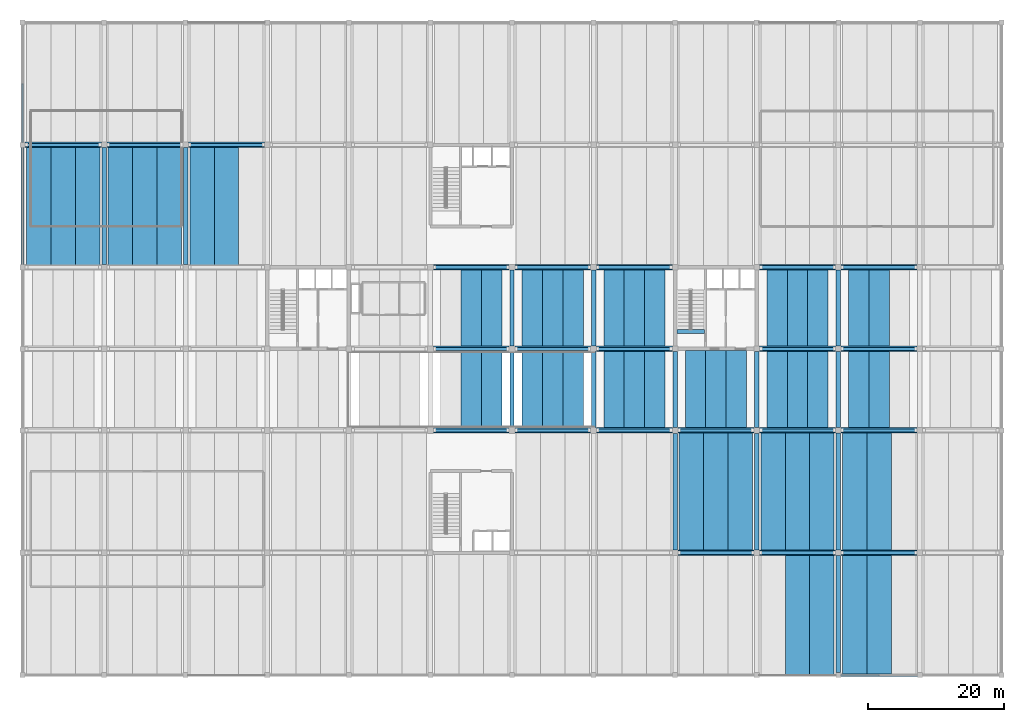
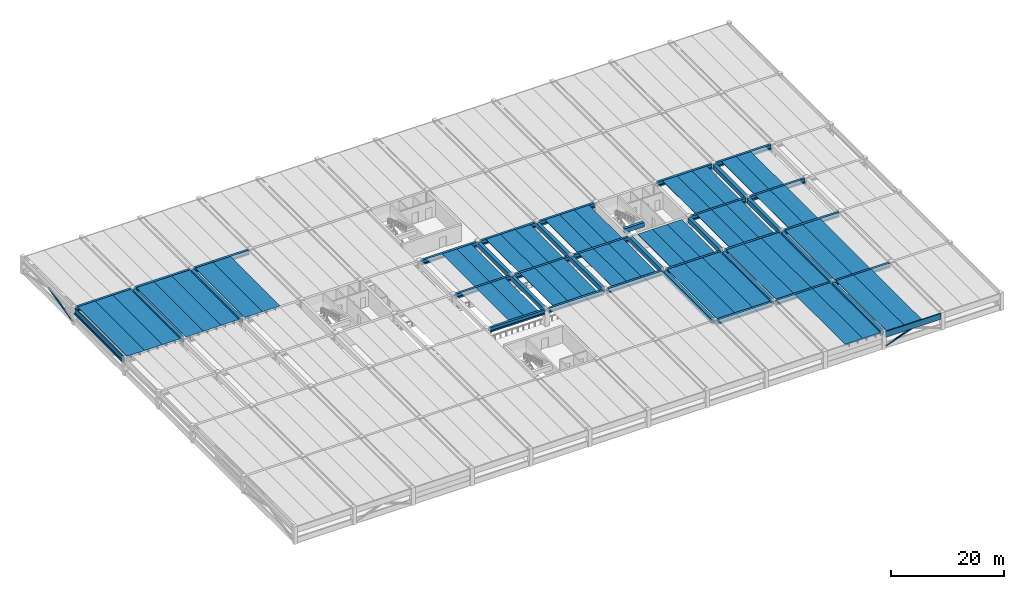
# One storey, part 3 of 16: 88 beams, 2 members.
"""IFC4 building model written with IfcOpenShell, lengths in metres."""

from ifc_helpers import new_model, si_unit, direction, frame, origin, origin_2d, place, context, subcontext, project, spatial, polyline, rectangle, hollow_rectangle, outline, extrude, material, material_profile, profile_set, type_object, element, save


model = new_model("IFC4")

# Units and contexts
model_context = context("Model", 3, precision=1e-05, world=origin(), true_north=direction((0.0, 1.0)))
body_context = subcontext(model_context, "Body", "Model", "MODEL_VIEW")
ifc_project = project(units=[si_unit("LENGTHUNIT", "METRE"), si_unit("AREAUNIT", "SQUARE_METRE"), si_unit("VOLUMEUNIT", "CUBIC_METRE"), si_unit("PLANEANGLEUNIT", "RADIAN"), si_unit("MASSUNIT", "GRAM", prefix="KILO")], contexts=[model_context])

# Site, building, storey
site_placement = place(None, origin())
site = spatial("IfcSite", under=ifc_project, at=site_placement, CompositionType="ELEMENT")
building_placement = place(site_placement, origin())
building = spatial("IfcBuilding", under=site, at=building_placement, Name="Girod Span Mobility Hub", CompositionType="ELEMENT")
storey_placement = place(building_placement, frame((0.0, 0.0, 28.60009765625)))
storey = spatial("IfcBuildingStorey", under=building, at=storey_placement, Name="L07", CompositionType="ELEMENT", Elevation=28.60009765625)

# Beams
ifc_material_1 = material(Name="Concrete C50/60", Category="concrete")
ifc_material_profile_1 = material_profile(ifc_material_1, outline(polyline([(-1.5, 0.300048828125), (-1.5, 0.2099609375), (-0.8349609375, 0.2099609375), (-0.8125, -0.300048828125), (-0.6875, -0.300048828125), (-0.6650390625, 0.2099609375), (0.6650390625, 0.2099609375), (0.6875, -0.300048828125), (0.8125, -0.300048828125), (0.8349609375, 0.2099609375), (1.5, 0.2099609375), (1.5, 0.300048828125), (-1.5, 0.300048828125)])), Name="DT-3000X600")
ifc_profile_set_1 = profile_set([ifc_material_profile_1], Name="Concrete C50/60")
beam_type_1 = type_object("IfcBeamType", Name="BM-DT-3000X600", PredefinedType="JOIST", material=ifc_profile_set_1)
for number, where, z_axis, x_axis, name in (
    (1, (78.0, 45.22705078125, 3.25), (0.0, 1.0, 0.0), (-1.0, 0.0, 0.0), "Double-Tee Deck 7/D-2 L07"),
    (2, (81.0, 45.22705078125, 3.25), (0.0, 1.0, 0.0), (-1.0, 0.0, 0.0), "Double-Tee Deck 7/D-3 L07"),
    (3, (78.0, 57.22705078125, 3.25), (0.0, 1.0, 0.0), (-1.0, 0.0, 0.0), "Double-Tee Deck 7/E-2 L07"),
    (4, (81.0, 57.22705078125, 3.25), (0.0, 1.0, 0.0), (-1.0, 0.0, 0.0), "Double-Tee Deck 7/E-3 L07"),
    (5, (87.0, 45.22705078125, 3.25), (0.0, 1.0, 0.0), (-1.0, 0.0, 0.0), "Double-Tee Deck 8/D-1 L07"),
    (6, (90.0, 45.22705078125, 3.25), (0.0, 1.0, 0.0), (-1.0, 0.0, 0.0), "Double-Tee Deck 8/D-2 L07"),
    (7, (93.0, 45.22705078125, 3.25), (0.0, 1.0, 0.0), (-1.0, 0.0, 0.0), "Double-Tee Deck 8/D-3 L07"),
    (8, (87.0, 57.22705078125, 3.25), (0.0, 1.0, 0.0), (-1.0, 0.0, 0.0), "Double-Tee Deck 8/E-1 L07"),
    (9, (90.0, 57.22705078125, 3.25), (0.0, 1.0, 0.0), (-1.0, 0.0, 0.0), "Double-Tee Deck 8/E-2 L07"),
    (10, (93.0, 57.22705078125, 3.25), (0.0, 1.0, 0.0), (-1.0, 0.0, 0.0), "Double-Tee Deck 8/E-3 L07"),
    (11, (99.0, 45.22705078125, 3.25), (0.0, 1.0, 0.0), (-1.0, 0.0, 0.0), "Double-Tee Deck 9/D-1 L07"),
    (12, (102.0, 45.22705078125, 3.25), (0.0, 1.0, 0.0), (-1.0, 0.0, 0.0), "Double-Tee Deck 9/D-2 L07"),
    (13, (105.0, 45.22705078125, 3.25), (0.0, 1.0, 0.0), (-1.0, 0.0, 0.0), "Double-Tee Deck 9/D-3 L07"),
    (14, (99.0, 57.22705078125, 3.25), (0.0, 1.0, 0.0), (-1.0, 0.0, 0.0), "Double-Tee Deck 9/E-1 L07"),
    (15, (102.0, 57.22705078125, 3.25), (0.0, 1.0, 0.0), (-1.0, 0.0, 0.0), "Double-Tee Deck 9/E-2 L07"),
    (16, (105.0, 57.22705078125, 3.25), (0.0, 1.0, 0.0), (-1.0, 0.0, 0.0), "Double-Tee Deck 9/E-3 L07"),
):
    element("IfcBeam", number, at=place(storey_placement, frame(where, z_axis=z_axis, x_axis=x_axis)), inside=storey, type_object=beam_type_1, Name=name, PredefinedType="JOIST", context=body_context, shape_type="SweptSolid", body=[
        extrude(outline(polyline([(-1.5, 0.300048828125), (-1.5, 0.2099609375), (-0.8349609375, 0.2099609375), (-0.8125, -0.300048828125), (-0.6875, -0.300048828125), (-0.6650390625, 0.2099609375), (0.6650390625, 0.2099609375), (0.6875, -0.300048828125), (0.8125, -0.300048828125), (0.8349609375, 0.2099609375), (1.5, 0.2099609375), (1.5, 0.300048828125), (-1.5, 0.300048828125)])), origin(), (0.0, 0.0, 1.0), 11.5458984375),
    ])
for number, where, z_axis, x_axis, name in (
    (17, (111.0, 45.22705078125, 3.25), (0.0, 1.0, 0.0), (-1.0, 0.0, 0.0), "Double-Tee Deck 10/D-1 L07"),
    (18, (114.0, 45.22705078125, 3.25), (0.0, 1.0, 0.0), (-1.0, 0.0, 0.0), "Double-Tee Deck 10/D-2 L07"),
    (19, (117.0, 45.22705078125, 3.25), (0.0, 1.0, 0.0), (-1.0, 0.0, 0.0), "Double-Tee Deck 10/D-3 L07"),
):
    element("IfcBeam", number, at=place(storey_placement, frame(where, z_axis=z_axis, x_axis=x_axis)), inside=storey, type_object=beam_type_1, Name=name, PredefinedType="JOIST", context=body_context, shape_type="SweptSolid", body=[
        extrude(outline(polyline([(-1.5, 0.300048828125), (-1.5, 0.2099609375), (-0.8349609375, 0.2099609375), (-0.8125, -0.300048828125), (-0.6875, -0.300048828125), (-0.6650390625, 0.2099609375), (0.6650390625, 0.2099609375), (0.6875, -0.300048828125), (0.8125, -0.300048828125), (0.8349609375, 0.2099609375), (1.5, 0.2099609375), (1.5, 0.300048828125), (-1.5, 0.300048828125)])), origin(), (0.0, 0.0, 1.0), 11.52587890625),
    ])
for number, where, z_axis, x_axis, name in (
    (20, (123.0, 45.22705078125, 3.25), (0.0, 1.0, 0.0), (-1.0, 0.0, 0.0), "Double-Tee Deck 11/D-1 L07"),
    (21, (126.0, 45.22705078125, 3.25), (0.0, 1.0, 0.0), (-1.0, 0.0, 0.0), "Double-Tee Deck 11/D-2 L07"),
    (22, (129.0, 45.22705078125, 3.25), (0.0, 1.0, 0.0), (-1.0, 0.0, 0.0), "Double-Tee Deck 11/D-3 L07"),
    (23, (123.0, 57.22705078125, 3.25), (0.0, 1.0, 0.0), (-1.0, 0.0, 0.0), "Double-Tee Deck 11/E-1 L07"),
    (24, (126.0, 57.22705078125, 3.25), (0.0, 1.0, 0.0), (-1.0, 0.0, 0.0), "Double-Tee Deck 11/E-2 L07"),
    (25, (129.0, 57.22705078125, 3.25), (0.0, 1.0, 0.0), (-1.0, 0.0, 0.0), "Double-Tee Deck 11/E-3 L07"),
    (26, (135.0, 45.22705078125, 3.25), (0.0, 1.0, 0.0), (-1.0, 0.0, 0.0), "Double-Tee Deck 12/D-1 L07"),
    (27, (138.0, 45.22705078125, 3.25), (0.0, 1.0, 0.0), (-1.0, 0.0, 0.0), "Double-Tee Deck 12/D-2 L07"),
    (28, (135.0, 57.22705078125, 3.25), (0.0, 1.0, 0.0), (-1.0, 0.0, 0.0), "Double-Tee Deck 12/E-1 L07"),
    (29, (138.0, 57.22705078125, 3.25), (0.0, 1.0, 0.0), (-1.0, 0.0, 0.0), "Double-Tee Deck 12/E-2 L07"),
):
    element("IfcBeam", number, at=place(storey_placement, frame(where, z_axis=z_axis, x_axis=x_axis)), inside=storey, type_object=beam_type_1, Name=name, PredefinedType="JOIST", context=body_context, shape_type="SweptSolid", body=[
        extrude(outline(polyline([(-1.5, 0.300048828125), (-1.5, 0.2099609375), (-0.8349609375, 0.2099609375), (-0.8125, -0.300048828125), (-0.6875, -0.300048828125), (-0.6650390625, 0.2099609375), (0.6650390625, 0.2099609375), (0.6875, -0.300048828125), (0.8125, -0.300048828125), (0.8349609375, 0.2099609375), (1.5, 0.2099609375), (1.5, 0.300048828125), (-1.5, 0.300048828125)])), origin(), (0.0, 0.0, 1.0), 11.5458984375),
    ])
ifc_material_2 = material(Name="Concrete C50/60", Category="concrete")
ifc_material_profile_2 = material_profile(ifc_material_2, outline(polyline([(-1.800048828125, 0.425048828125), (-1.800048828125, 0.324951171875), (-1.0, 0.324951171875), (-0.969970703125, -0.425048828125), (-0.830078125, -0.425048828125), (-0.800048828125, 0.324951171875), (0.800048828125, 0.324951171875), (0.830078125, -0.425048828125), (0.969970703125, -0.425048828125), (1.0, 0.324951171875), (1.800048828125, 0.324951171875), (1.800048828125, 0.425048828125), (-1.800048828125, 0.425048828125)])), Name="DT-3600X850")
ifc_profile_set_2 = profile_set([ifc_material_profile_2], Name="Concrete C50/60")
beam_type_2 = type_object("IfcBeamType", Name="BM-DT-3600X850", PredefinedType="JOIST", material=ifc_profile_set_2)
for number, where, z_axis, x_axis, name in (
    (30, (14.39990234375, 69.22705078125, 3.15478515625), (0.0, 1.0, 0.0), (-1.0, 0.0, 0.0), "Double-Tee Deck 2/F-1 L07"),
    (31, (18.0, 69.22705078125, 3.15478515625), (0.0, 1.0, 0.0), (-1.0, 0.0, 0.0), "Double-Tee Deck 2/F-2 L07"),
    (32, (21.60009765625, 69.22705078125, 3.15478515625), (0.0, 1.0, 0.0), (-1.0, 0.0, 0.0), "Double-Tee Deck 2/F-3 L07"),
    (33, (26.39990234375, 69.22705078125, 3.099853515625), (0.0, 1.0, 0.0), (-1.0, 0.0, 0.0), "Double-Tee Deck 3/F-1 L07"),
    (34, (30.0, 69.22705078125, 3.099853515625), (0.0, 1.0, 0.0), (-1.0, 0.0, 0.0), "Double-Tee Deck 3/F-2 L07"),
    (35, (33.60009765625, 69.22705078125, 3.099853515625), (0.0, 1.0, 0.0), (-1.0, 0.0, 0.0), "Double-Tee Deck 3/F-3 L07"),
    (36, (38.39990234375, 69.22705078125, 3.099853515625), (0.0, 1.0, 0.0), (-1.0, 0.0, 0.0), "Double-Tee Deck 4/F-1 L07"),
    (37, (42.0, 69.22705078125, 3.099853515625), (0.0, 1.0, 0.0), (-1.0, 0.0, 0.0), "Double-Tee Deck 4/F-2 L07"),
    (38, (110.39990234375, 27.22705078125, 3.099853515625), (0.0, 1.0, 0.0), (-1.0, 0.0, 0.0), "Double-Tee Deck 10/C-1 L07"),
    (39, (114.0, 27.22705078125, 3.099853515625), (0.0, 1.0, 0.0), (-1.0, 0.0, 0.0), "Double-Tee Deck 10/C-2 L07"),
    (40, (117.60009765625, 27.22705078125, 3.099853515625), (0.0, 1.0, 0.0), (-1.0, 0.0, 0.0), "Double-Tee Deck 10/C-3 L07"),
):
    element("IfcBeam", number, at=place(storey_placement, frame(where, z_axis=z_axis, x_axis=x_axis)), inside=storey, type_object=beam_type_2, Name=name, PredefinedType="JOIST", context=body_context, shape_type="SweptSolid", body=[
        extrude(outline(polyline([(-1.800048828125, 0.425048828125), (-1.800048828125, 0.324951171875), (-1.0, 0.324951171875), (-0.969970703125, -0.425048828125), (-0.830078125, -0.425048828125), (-0.800048828125, 0.324951171875), (0.800048828125, 0.324951171875), (0.830078125, -0.425048828125), (0.969970703125, -0.425048828125), (1.0, 0.324951171875), (1.800048828125, 0.324951171875), (1.800048828125, 0.425048828125), (-1.800048828125, 0.425048828125)])), origin(), (0.0, 0.0, 1.0), 17.5458984375),
    ])
for number, where, z_axis, x_axis, name in (
    (41, (126.0, 9.01708984375, 3.15478515625), (0.0, 1.0, 0.0), (-1.0, 0.0, 0.0), "Double-Tee Deck 11/B-2 L07"),
    (42, (129.60009765625, 9.01708984375, 3.15478515625), (0.0, 1.0, 0.0), (-1.0, 0.0, 0.0), "Double-Tee Deck 11/B-3 L07"),
):
    element("IfcBeam", number, at=place(storey_placement, frame(where, z_axis=z_axis, x_axis=x_axis)), inside=storey, type_object=beam_type_2, Name=name, PredefinedType="JOIST", context=body_context, shape_type="SweptSolid", body=[
        extrude(outline(polyline([(-1.800048828125, 0.425048828125), (-1.800048828125, 0.324951171875), (-1.0, 0.324951171875), (-0.969970703125, -0.425048828125), (-0.830078125, -0.425048828125), (-0.800048828125, 0.324951171875), (0.800048828125, 0.324951171875), (0.830078125, -0.425048828125), (0.969970703125, -0.425048828125), (1.0, 0.324951171875), (1.800048828125, 0.324951171875), (1.800048828125, 0.425048828125), (-1.800048828125, 0.425048828125)])), origin(), (0.0, 0.0, 1.0), 17.755859375),
    ])
for number, where, z_axis, x_axis, name in (
    (43, (122.39990234375, 27.22705078125, 3.099853515625), (0.0, 1.0, 0.0), (-1.0, 0.0, 0.0), "Double-Tee Deck 11/C-1 L07"),
    (44, (126.0, 27.22705078125, 3.099853515625), (0.0, 1.0, 0.0), (-1.0, 0.0, 0.0), "Double-Tee Deck 11/C-2 L07"),
    (45, (129.60009765625, 27.22705078125, 3.099853515625), (0.0, 1.0, 0.0), (-1.0, 0.0, 0.0), "Double-Tee Deck 11/C-3 L07"),
):
    element("IfcBeam", number, at=place(storey_placement, frame(where, z_axis=z_axis, x_axis=x_axis)), inside=storey, type_object=beam_type_2, Name=name, PredefinedType="JOIST", context=body_context, shape_type="SweptSolid", body=[
        extrude(outline(polyline([(-1.800048828125, 0.425048828125), (-1.800048828125, 0.324951171875), (-1.0, 0.324951171875), (-0.969970703125, -0.425048828125), (-0.830078125, -0.425048828125), (-0.800048828125, 0.324951171875), (0.800048828125, 0.324951171875), (0.830078125, -0.425048828125), (0.969970703125, -0.425048828125), (1.0, 0.324951171875), (1.800048828125, 0.324951171875), (1.800048828125, 0.425048828125), (-1.800048828125, 0.425048828125)])), origin(), (0.0, 0.0, 1.0), 17.5458984375),
    ])
for number, where, z_axis, x_axis, name in (
    (46, (134.39990234375, 9.01708984375, 3.15478515625), (0.0, 1.0, 0.0), (-1.0, 0.0, 0.0), "Double-Tee Deck 12/B-1 L07"),
    (47, (138.0, 9.01708984375, 3.15478515625), (0.0, 1.0, 0.0), (-1.0, 0.0, 0.0), "Double-Tee Deck 12/B-2 L07"),
):
    element("IfcBeam", number, at=place(storey_placement, frame(where, z_axis=z_axis, x_axis=x_axis)), inside=storey, type_object=beam_type_2, Name=name, PredefinedType="JOIST", context=body_context, shape_type="SweptSolid", body=[
        extrude(outline(polyline([(-1.800048828125, 0.425048828125), (-1.800048828125, 0.324951171875), (-1.0, 0.324951171875), (-0.969970703125, -0.425048828125), (-0.830078125, -0.425048828125), (-0.800048828125, 0.324951171875), (0.800048828125, 0.324951171875), (0.830078125, -0.425048828125), (0.969970703125, -0.425048828125), (1.0, 0.324951171875), (1.800048828125, 0.324951171875), (1.800048828125, 0.425048828125), (-1.800048828125, 0.425048828125)])), origin(), (0.0, 0.0, 1.0), 17.755859375),
    ])
for number, where, z_axis, x_axis, name in (
    (48, (134.39990234375, 27.22705078125, 3.099853515625), (0.0, 1.0, 0.0), (-1.0, 0.0, 0.0), "Double-Tee Deck 12/C-1 L07"),
    (49, (138.0, 27.22705078125, 3.099853515625), (0.0, 1.0, 0.0), (-1.0, 0.0, 0.0), "Double-Tee Deck 12/C-2 L07"),
):
    element("IfcBeam", number, at=place(storey_placement, frame(where, z_axis=z_axis, x_axis=x_axis)), inside=storey, type_object=beam_type_2, Name=name, PredefinedType="JOIST", context=body_context, shape_type="SweptSolid", body=[
        extrude(outline(polyline([(-1.800048828125, 0.425048828125), (-1.800048828125, 0.324951171875), (-1.0, 0.324951171875), (-0.969970703125, -0.425048828125), (-0.830078125, -0.425048828125), (-0.800048828125, 0.324951171875), (0.800048828125, 0.324951171875), (0.830078125, -0.425048828125), (0.969970703125, -0.425048828125), (1.0, 0.324951171875), (1.800048828125, 0.324951171875), (1.800048828125, 0.425048828125), (-1.800048828125, 0.425048828125)])), origin(), (0.0, 0.0, 1.0), 17.5458984375),
    ])
ifc_material_3 = material(Name="Concrete C50/60", Category="concrete")
ifc_material_profile_3 = material_profile(ifc_material_3, outline(polyline([(-0.39990234375, -0.449951171875), (0.39990234375, -0.449951171875), (0.39990234375, -0.14990234375), (0.22998046875, -0.14990234375), (0.22998046875, 0.449951171875), (-0.22998046875, 0.449951171875), (-0.22998046875, -0.14990234375), (-0.39990234375, -0.14990234375), (-0.39990234375, -0.449951171875)])), Name="IT-800X900")
ifc_profile_set_3 = profile_set([ifc_material_profile_3], Name="Concrete C50/60")
beam_type_3 = type_object("IfcBeamType", Name="BM-IT-800X900", PredefinedType="T_BEAM", material=ifc_profile_set_3)
for number, where, z_axis, x_axis, name in (
    (50, (108.39697265625, 27.0, 3.099853515625), (1.0, 0.0, 0.0), (0.0, 1.0, 0.0), "Girder 10-11/C L07"),
    (51, (120.39697265625, 27.0, 3.099853515625), (1.0, 0.0, 0.0), (0.0, 1.0, 0.0), "Girder 11-12/C L07"),
    (52, (132.39697265625, 27.0, 3.099853515625), (1.0, 0.0, 0.0), (0.0, 1.0, 0.0), "Girder 12-13/C L07"),
):
    element("IfcBeam", number, at=place(storey_placement, frame(where, z_axis=z_axis, x_axis=x_axis)), inside=storey, type_object=beam_type_3, Name=name, PredefinedType="T_BEAM", context=body_context, shape_type="SweptSolid", body=[
        extrude(outline(polyline([(-0.39990234375, -0.449951171875), (0.39990234375, -0.449951171875), (0.39990234375, -0.14990234375), (0.22998046875, -0.14990234375), (0.22998046875, 0.449951171875), (-0.22998046875, 0.449951171875), (-0.22998046875, -0.14990234375), (-0.39990234375, -0.14990234375), (-0.39990234375, -0.449951171875)])), origin(), (0.0, 0.0, 1.0), 11.2060546875),
    ])
for number, where, z_axis, x_axis, name in (
    (53, (72.422119140625, 45.0, 3.099853515625), (1.0, 0.0, 0.0), (0.0, 1.0, 0.0), "Girder 7-8/D L07"),
    (54, (84.422119140625, 45.0, 3.099853515625), (1.0, 0.0, 0.0), (0.0, 1.0, 0.0), "Girder 8-9/D L07"),
    (55, (96.422119140625, 45.0, 3.099853515625), (1.0, 0.0, 0.0), (0.0, 1.0, 0.0), "Girder 9-10/D L07"),
    (56, (108.422119140625, 45.0, 3.099853515625), (1.0, 0.0, 0.0), (0.0, 1.0, 0.0), "Girder 10-11/D L07"),
):
    element("IfcBeam", number, at=place(storey_placement, frame(where, z_axis=z_axis, x_axis=x_axis)), inside=storey, type_object=beam_type_3, Name=name, PredefinedType="T_BEAM", context=body_context, shape_type="SweptSolid", body=[
        extrude(outline(polyline([(-0.39990234375, -0.449951171875), (0.39990234375, -0.449951171875), (0.39990234375, -0.14990234375), (0.22998046875, -0.14990234375), (0.22998046875, 0.449951171875), (-0.22998046875, 0.449951171875), (-0.22998046875, -0.14990234375), (-0.39990234375, -0.14990234375), (-0.39990234375, -0.449951171875)])), origin(), (0.0, 0.0, 1.0), 11.15576171875),
    ])
beam_1_placement = place(storey_placement, frame((120.422119140625, 45.0, 3.099853515625), z_axis=(1.0, 0.0, 0.0), x_axis=(0.0, 1.0, 0.0)))
element("IfcBeam", 57, at=beam_1_placement, inside=storey, type_object=beam_type_3, Name="Girder 11-12/D L07", PredefinedType="T_BEAM", context=body_context, shape_type="SweptSolid", body=[
    extrude(outline(polyline([(-0.39990234375, -0.449951171875), (0.39990234375, -0.449951171875), (0.39990234375, -0.14990234375), (0.22998046875, -0.14990234375), (0.22998046875, 0.449951171875), (-0.22998046875, 0.449951171875), (-0.22998046875, -0.14990234375), (-0.39990234375, -0.14990234375), (-0.39990234375, -0.449951171875)])), origin(), (0.0, 0.0, 1.0), 11.180908203125),
])
beam_2_placement = place(storey_placement, frame((132.39697265625, 45.0, 3.099853515625), z_axis=(1.0, 0.0, 0.0), x_axis=(0.0, 1.0, 0.0)))
element("IfcBeam", 58, at=beam_2_placement, inside=storey, type_object=beam_type_3, Name="Girder 12-13/D L07", PredefinedType="T_BEAM", context=body_context, shape_type="SweptSolid", body=[
    extrude(outline(polyline([(-0.39990234375, -0.449951171875), (0.39990234375, -0.449951171875), (0.39990234375, -0.14990234375), (0.22998046875, -0.14990234375), (0.22998046875, 0.449951171875), (-0.22998046875, 0.449951171875), (-0.22998046875, -0.14990234375), (-0.39990234375, -0.14990234375), (-0.39990234375, -0.449951171875)])), origin(), (0.0, 0.0, 1.0), 11.2060546875),
])
for number, where, z_axis, x_axis, name in (
    (59, (72.422119140625, 57.0, 3.099853515625), (1.0, 0.0, 0.0), (0.0, 1.0, 0.0), "Girder 7-8/E L07"),
    (60, (84.422119140625, 57.0, 3.099853515625), (1.0, 0.0, 0.0), (0.0, 1.0, 0.0), "Girder 8-9/E L07"),
    (61, (96.422119140625, 57.0, 3.099853515625), (1.0, 0.0, 0.0), (0.0, 1.0, 0.0), "Girder 9-10/E L07"),
):
    element("IfcBeam", number, at=place(storey_placement, frame(where, z_axis=z_axis, x_axis=x_axis)), inside=storey, type_object=beam_type_3, Name=name, PredefinedType="T_BEAM", context=body_context, shape_type="SweptSolid", body=[
        extrude(outline(polyline([(-0.39990234375, -0.449951171875), (0.39990234375, -0.449951171875), (0.39990234375, -0.14990234375), (0.22998046875, -0.14990234375), (0.22998046875, 0.449951171875), (-0.22998046875, 0.449951171875), (-0.22998046875, -0.14990234375), (-0.39990234375, -0.14990234375), (-0.39990234375, -0.449951171875)])), origin(), (0.0, 0.0, 1.0), 11.15576171875),
    ])
beam_3_placement = place(storey_placement, frame((120.422119140625, 57.0, 3.099853515625), z_axis=(1.0, 0.0, 0.0), x_axis=(0.0, 1.0, 0.0)))
element("IfcBeam", 62, at=beam_3_placement, inside=storey, type_object=beam_type_3, Name="Girder 11-12/E L07", PredefinedType="T_BEAM", context=body_context, shape_type="SweptSolid", body=[
    extrude(outline(polyline([(-0.39990234375, -0.449951171875), (0.39990234375, -0.449951171875), (0.39990234375, -0.14990234375), (0.22998046875, -0.14990234375), (0.22998046875, 0.449951171875), (-0.22998046875, 0.449951171875), (-0.22998046875, -0.14990234375), (-0.39990234375, -0.14990234375), (-0.39990234375, -0.449951171875)])), origin(), (0.0, 0.0, 1.0), 11.180908203125),
])
beam_4_placement = place(storey_placement, frame((132.39697265625, 57.0, 3.099853515625), z_axis=(1.0, 0.0, 0.0), x_axis=(0.0, 1.0, 0.0)))
element("IfcBeam", 63, at=beam_4_placement, inside=storey, type_object=beam_type_3, Name="Girder 12-13/E L07", PredefinedType="T_BEAM", context=body_context, shape_type="SweptSolid", body=[
    extrude(outline(polyline([(-0.39990234375, -0.449951171875), (0.39990234375, -0.449951171875), (0.39990234375, -0.14990234375), (0.22998046875, -0.14990234375), (0.22998046875, 0.449951171875), (-0.22998046875, 0.449951171875), (-0.22998046875, -0.14990234375), (-0.39990234375, -0.14990234375), (-0.39990234375, -0.449951171875)])), origin(), (0.0, 0.0, 1.0), 11.2060546875),
])
for number, where, z_axis, x_axis, name in (
    (64, (72.422119140625, 69.0, 3.099853515625), (1.0, 0.0, 0.0), (0.0, 1.0, 0.0), "Girder 7-8/F L07"),
    (65, (84.422119140625, 69.0, 3.099853515625), (1.0, 0.0, 0.0), (0.0, 1.0, 0.0), "Girder 8-9/F L07"),
    (66, (96.422119140625, 69.0, 3.099853515625), (1.0, 0.0, 0.0), (0.0, 1.0, 0.0), "Girder 9-10/F L07"),
):
    element("IfcBeam", number, at=place(storey_placement, frame(where, z_axis=z_axis, x_axis=x_axis)), inside=storey, type_object=beam_type_3, Name=name, PredefinedType="T_BEAM", context=body_context, shape_type="SweptSolid", body=[
        extrude(outline(polyline([(-0.39990234375, -0.449951171875), (0.39990234375, -0.449951171875), (0.39990234375, -0.14990234375), (0.22998046875, -0.14990234375), (0.22998046875, 0.449951171875), (-0.22998046875, 0.449951171875), (-0.22998046875, -0.14990234375), (-0.39990234375, -0.14990234375), (-0.39990234375, -0.449951171875)])), origin(), (0.0, 0.0, 1.0), 11.15576171875),
    ])
beam_5_placement = place(storey_placement, frame((120.422119140625, 69.0, 3.099853515625), z_axis=(1.0, 0.0, 0.0), x_axis=(0.0, 1.0, 0.0)))
element("IfcBeam", 67, at=beam_5_placement, inside=storey, type_object=beam_type_3, Name="Girder 11-12/F L07", PredefinedType="T_BEAM", context=body_context, shape_type="SweptSolid", body=[
    extrude(outline(polyline([(-0.39990234375, -0.449951171875), (0.39990234375, -0.449951171875), (0.39990234375, -0.14990234375), (0.22998046875, -0.14990234375), (0.22998046875, 0.449951171875), (-0.22998046875, 0.449951171875), (-0.22998046875, -0.14990234375), (-0.39990234375, -0.14990234375), (-0.39990234375, -0.449951171875)])), origin(), (0.0, 0.0, 1.0), 11.180908203125),
])
beam_6_placement = place(storey_placement, frame((132.39697265625, 69.0, 3.099853515625), z_axis=(1.0, 0.0, 0.0), x_axis=(0.0, 1.0, 0.0)))
element("IfcBeam", 68, at=beam_6_placement, inside=storey, type_object=beam_type_3, Name="Girder 12-13/F L07", PredefinedType="T_BEAM", context=body_context, shape_type="SweptSolid", body=[
    extrude(outline(polyline([(-0.39990234375, -0.449951171875), (0.39990234375, -0.449951171875), (0.39990234375, -0.14990234375), (0.22998046875, -0.14990234375), (0.22998046875, 0.449951171875), (-0.22998046875, 0.449951171875), (-0.22998046875, -0.14990234375), (-0.39990234375, -0.14990234375), (-0.39990234375, -0.449951171875)])), origin(), (0.0, 0.0, 1.0), 11.2060546875),
])
beam_7_placement = place(storey_placement, frame((12.3720703125, 87.0, 3.1298828125), z_axis=(1.0, 0.0, 0.0), x_axis=(0.0, 1.0, 0.0)))
element("IfcBeam", 69, at=beam_7_placement, inside=storey, type_object=beam_type_3, Name="Girder 2-3/G L07", PredefinedType="T_BEAM", context=body_context, shape_type="SweptSolid", body=[
    extrude(outline(polyline([(-0.39990234375, -0.449951171875), (0.39990234375, -0.449951171875), (0.39990234375, -0.14990234375), (0.22998046875, -0.14990234375), (0.22998046875, 0.449951171875), (-0.22998046875, 0.449951171875), (-0.22998046875, -0.14990234375), (-0.39990234375, -0.14990234375), (-0.39990234375, -0.449951171875)])), origin(), (0.0, 0.0, 1.0), 11.23095703125),
])
for number, where, z_axis, x_axis, name in (
    (70, (24.39697265625, 87.0, 3.099853515625), (1.0, 0.0, 0.0), (0.0, 1.0, 0.0), "Girder 3-4/G L07"),
    (71, (36.39697265625, 87.0, 3.099853515625), (1.0, 0.0, 0.0), (0.0, 1.0, 0.0), "Girder 4-5/G L07"),
):
    element("IfcBeam", number, at=place(storey_placement, frame(where, z_axis=z_axis, x_axis=x_axis)), inside=storey, type_object=beam_type_3, Name=name, PredefinedType="T_BEAM", context=body_context, shape_type="SweptSolid", body=[
        extrude(outline(polyline([(-0.39990234375, -0.449951171875), (0.39990234375, -0.449951171875), (0.39990234375, -0.14990234375), (0.22998046875, -0.14990234375), (0.22998046875, 0.449951171875), (-0.22998046875, 0.449951171875), (-0.22998046875, -0.14990234375), (-0.39990234375, -0.14990234375), (-0.39990234375, -0.449951171875)])), origin(), (0.0, 0.0, 1.0), 11.2060546875),
    ])
ifc_material_4 = material(Name="Concrete C40/50", Category="concrete")
ifc_material_profile_4 = material_profile(ifc_material_4, rectangle(XDim=0.550048828125, YDim=0.949951171875, at=origin_2d()), Name="RK-550X950")
ifc_profile_set_4 = profile_set([ifc_material_profile_4], Name="Concrete C40/50")
beam_type_4 = type_object("IfcBeamType", Name="BM-RK-550X950", PredefinedType="BEAM", material=ifc_profile_set_4)
beam_8_placement = place(storey_placement, frame((108.2470703125, 59.550048828125, 3.074951171875), z_axis=(1.0, 0.0, 0.0), x_axis=(0.0, 1.0, 0.0)))
element("IfcBeam", 72, at=beam_8_placement, inside=storey, type_object=beam_type_4, Name="Stair ST-2 Landing Header Beam L07", PredefinedType="BEAM", context=body_context, shape_type="SweptSolid", body=[
    extrude(rectangle(XDim=0.550048828125, YDim=0.949951171875, at=origin_2d()), origin(), (0.0, 0.0, 1.0), 4.055908203125),
])
ifc_material_5 = material(Name="Concrete C40/50", Category="concrete")
ifc_material_profile_5 = material_profile(ifc_material_5, outline(polyline([(-0.199951171875, -0.625), (0.199951171875, -0.625), (0.199951171875, -0.304931640625), (0.02001953125, -0.304931640625), (0.02001953125, 0.625), (-0.199951171875, 0.625), (-0.199951171875, -0.625)])), Name="SP-400X1250")
ifc_profile_set_5 = profile_set([ifc_material_profile_5], Name="Concrete C40/50")
beam_type_5 = type_object("IfcBeamType", Name="BM-SP-400X1250", PredefinedType="SPANDREL", material=ifc_profile_set_5)
beam_9_placement = place(storey_placement, frame((132.3720703125, 9.0, 2.954833984375), z_axis=(1.0, 0.0, 0.0), x_axis=(0.0, 1.0, 0.0)))
element("IfcBeam", 73, at=beam_9_placement, inside=storey, type_object=beam_type_5, Name="Girder 12-13/B L07", PredefinedType="SPANDREL", context=body_context, shape_type="SweptSolid", body=[
    extrude(outline(polyline([(-0.199951171875, -0.625), (0.199951171875, -0.625), (0.199951171875, -0.304931640625), (0.02001953125, -0.304931640625), (0.02001953125, 0.625), (-0.199951171875, 0.625), (-0.199951171875, -0.625)])), origin(), (0.0, 0.0, 1.0), 11.255859375),
])
beam_10_placement = place(storey_placement, frame((12.0, 69.3720703125, 2.954833984375), z_axis=(0.0, 1.0, 0.0), x_axis=(-1.0, 0.0, 0.0)))
element("IfcBeam", 74, at=beam_10_placement, inside=storey, type_object=beam_type_5, Name="Tie Girder 2/F-G L07", PredefinedType="SPANDREL", context=body_context, shape_type="SweptSolid", body=[
    extrude(outline(polyline([(-0.199951171875, -0.625), (0.199951171875, -0.625), (0.199951171875, -0.304931640625), (0.02001953125, -0.304931640625), (0.02001953125, 0.625), (-0.199951171875, 0.625), (-0.199951171875, -0.625)])), origin(), (0.0, 0.0, 1.0), 17.255859375),
])
ifc_material_6 = material(Name="Concrete C40/50", Category="concrete")
ifc_material_profile_6 = material_profile(ifc_material_6, rectangle(XDim=0.64990234375, YDim=1.0, at=origin_2d()), Name="TG-650X1000")
ifc_profile_set_6 = profile_set([ifc_material_profile_6], Name="Concrete C40/50")
beam_type_6 = type_object("IfcBeamType", Name="BM-TG-650X1000", PredefinedType="T_BEAM", material=ifc_profile_set_6)
for number, where, z_axis, x_axis, name in (
    (75, (24.0, 69.39697265625, 3.0498046875), (0.0, 1.0, 0.0), (-1.0, 0.0, 0.0), "Tie Girder 3/F-G L07"),
    (76, (36.0, 69.39697265625, 3.02490234375), (0.0, 1.0, 0.0), (-1.0, 0.0, 0.0), "Tie Girder 4/F-G L07"),
):
    element("IfcBeam", number, at=place(storey_placement, frame(where, z_axis=z_axis, x_axis=x_axis)), inside=storey, type_object=beam_type_6, Name=name, PredefinedType="T_BEAM", context=body_context, shape_type="SweptSolid", body=[
        extrude(rectangle(XDim=0.64990234375, YDim=1.0, at=origin_2d()), origin(), (0.0, 0.0, 1.0), 17.2060546875),
    ])
for number, where, z_axis, x_axis, name in (
    (77, (84.0, 45.422119140625, 3.0498046875), (0.0, 1.0, 0.0), (-1.0, 0.0, 0.0), "Tie Girder 8/D-E L07"),
    (78, (84.0, 57.422119140625, 3.0498046875), (0.0, 1.0, 0.0), (-1.0, 0.0, 0.0), "Tie Girder 8/E-F L07"),
    (79, (96.0, 45.422119140625, 3.0498046875), (0.0, 1.0, 0.0), (-1.0, 0.0, 0.0), "Tie Girder 9/D-E L07"),
    (80, (96.0, 57.422119140625, 3.0498046875), (0.0, 1.0, 0.0), (-1.0, 0.0, 0.0), "Tie Girder 9/E-F L07"),
):
    element("IfcBeam", number, at=place(storey_placement, frame(where, z_axis=z_axis, x_axis=x_axis)), inside=storey, type_object=beam_type_6, Name=name, PredefinedType="T_BEAM", context=body_context, shape_type="SweptSolid", body=[
        extrude(rectangle(XDim=0.64990234375, YDim=1.0, at=origin_2d()), origin(), (0.0, 0.0, 1.0), 11.15576171875),
    ])
beam_11_placement = place(storey_placement, frame((108.0, 27.39697265625, 3.02490234375), z_axis=(0.0, 1.0, 0.0), x_axis=(-1.0, 0.0, 0.0)))
element("IfcBeam", 81, at=beam_11_placement, inside=storey, type_object=beam_type_6, Name="Tie Girder 10/C-D L07", PredefinedType="T_BEAM", context=body_context, shape_type="SweptSolid", body=[
    extrude(rectangle(XDim=0.64990234375, YDim=1.0, at=origin_2d()), origin(), (0.0, 0.0, 1.0), 17.180908203125),
])
beam_12_placement = place(storey_placement, frame((108.0, 45.422119140625, 3.0498046875), z_axis=(0.0, 1.0, 0.0), x_axis=(-1.0, 0.0, 0.0)))
element("IfcBeam", 82, at=beam_12_placement, inside=storey, type_object=beam_type_6, Name="Tie Girder 10/D-E L07", PredefinedType="T_BEAM", context=body_context, shape_type="SweptSolid", body=[
    extrude(rectangle(XDim=0.64990234375, YDim=1.0, at=origin_2d()), origin(), (0.0, 0.0, 1.0), 11.15576171875),
])
beam_13_placement = place(storey_placement, frame((120.0, 27.39697265625, 3.02490234375), z_axis=(0.0, 1.0, 0.0), x_axis=(-1.0, 0.0, 0.0)))
element("IfcBeam", 83, at=beam_13_placement, inside=storey, type_object=beam_type_6, Name="Tie Girder 11/C-D L07", PredefinedType="T_BEAM", context=body_context, shape_type="SweptSolid", body=[
    extrude(rectangle(XDim=0.64990234375, YDim=1.0, at=origin_2d()), origin(), (0.0, 0.0, 1.0), 17.180908203125),
])
beam_14_placement = place(storey_placement, frame((120.0, 45.422119140625, 3.0498046875), z_axis=(0.0, 1.0, 0.0), x_axis=(-1.0, 0.0, 0.0)))
element("IfcBeam", 84, at=beam_14_placement, inside=storey, type_object=beam_type_6, Name="Tie Girder 11/D-E L07", PredefinedType="T_BEAM", context=body_context, shape_type="SweptSolid", body=[
    extrude(rectangle(XDim=0.64990234375, YDim=1.0, at=origin_2d()), origin(), (0.0, 0.0, 1.0), 11.15576171875),
])
beam_15_placement = place(storey_placement, frame((132.0, 9.3720703125, 3.079833984375), z_axis=(0.0, 1.0, 0.0), x_axis=(-1.0, 0.0, 0.0)))
element("IfcBeam", 85, at=beam_15_placement, inside=storey, type_object=beam_type_6, Name="Tie Girder 12/B-C L07", PredefinedType="T_BEAM", context=body_context, shape_type="SweptSolid", body=[
    extrude(rectangle(XDim=0.64990234375, YDim=1.0, at=origin_2d()), origin(), (0.0, 0.0, 1.0), 17.23095703125),
])
beam_16_placement = place(storey_placement, frame((132.0, 27.39697265625, 3.02490234375), z_axis=(0.0, 1.0, 0.0), x_axis=(-1.0, 0.0, 0.0)))
element("IfcBeam", 86, at=beam_16_placement, inside=storey, type_object=beam_type_6, Name="Tie Girder 12/C-D L07", PredefinedType="T_BEAM", context=body_context, shape_type="SweptSolid", body=[
    extrude(rectangle(XDim=0.64990234375, YDim=1.0, at=origin_2d()), origin(), (0.0, 0.0, 1.0), 17.2060546875),
])
for number, where, z_axis, x_axis, name in (
    (87, (132.0, 45.39697265625, 3.0498046875), (0.0, 1.0, 0.0), (-1.0, 0.0, 0.0), "Tie Girder 12/D-E L07"),
    (88, (132.0, 57.39697265625, 3.0498046875), (0.0, 1.0, 0.0), (-1.0, 0.0, 0.0), "Tie Girder 12/E-F L07"),
):
    element("IfcBeam", number, at=place(storey_placement, frame(where, z_axis=z_axis, x_axis=x_axis)), inside=storey, type_object=beam_type_6, Name=name, PredefinedType="T_BEAM", context=body_context, shape_type="SweptSolid", body=[
        extrude(rectangle(XDim=0.64990234375, YDim=1.0, at=origin_2d()), origin(), (0.0, 0.0, 1.0), 11.2060546875),
    ])

# Members
ifc_material_7 = material(Name="Steel HSS A500 Grade C", Category="steel")
ifc_material_profile_7 = material_profile(ifc_material_7, hollow_rectangle(XDim=0.25390625, YDim=0.25390625, WallThickness=0.01171875, InnerFilletRadius=0.01171875, OuterFilletRadius=0.023681640625, at=origin_2d()), Name="HSS254X254X12.7")
ifc_profile_set_7 = profile_set([ifc_material_profile_7], Name="Steel HSS A500 Grade C")
member_type = type_object("IfcMemberType", Name="MB-BR-HSS254", PredefinedType="BRACE", material=ifc_profile_set_7)
member_1_placement = place(storey_placement, frame((132.35498046875, 9.0, 0.349853515625), z_axis=(0.939401354378, 0.0, 0.342819333459), x_axis=(0.0, 1.0, 0.0)))
element("IfcMember", 89, at=member_1_placement, inside=storey, type_object=member_type, Name="Perimeter Chevron Brace 12/B-L L07", PredefinedType="BRACE", context=body_context, shape_type="SweptSolid", body=[
    extrude(hollow_rectangle(XDim=0.25390625, YDim=0.25390625, WallThickness=0.01171875, InnerFilletRadius=0.01171875, OuterFilletRadius=0.023681640625, at=origin_2d()), origin(), (0.0, 0.0, 1.0), 6.00927734375),
])
member_2_placement = place(storey_placement, frame((12.0, 87.35498046875, 0.349853515625), z_axis=(0.0, 0.972762573306, 0.231803744523), x_axis=(-1.0, 0.0, 0.0)))
element("IfcMember", 90, at=member_2_placement, inside=storey, type_object=member_type, Name="Side Chevron Brace 2/G-S L07", PredefinedType="BRACE", context=body_context, shape_type="SweptSolid", body=[
    extrude(hollow_rectangle(XDim=0.25390625, YDim=0.25390625, WallThickness=0.01171875, InnerFilletRadius=0.01171875, OuterFilletRadius=0.023681640625, at=origin_2d()), origin(), (0.0, 0.0, 1.0), 8.886962890625),
])

save(model, "model.ifc")
